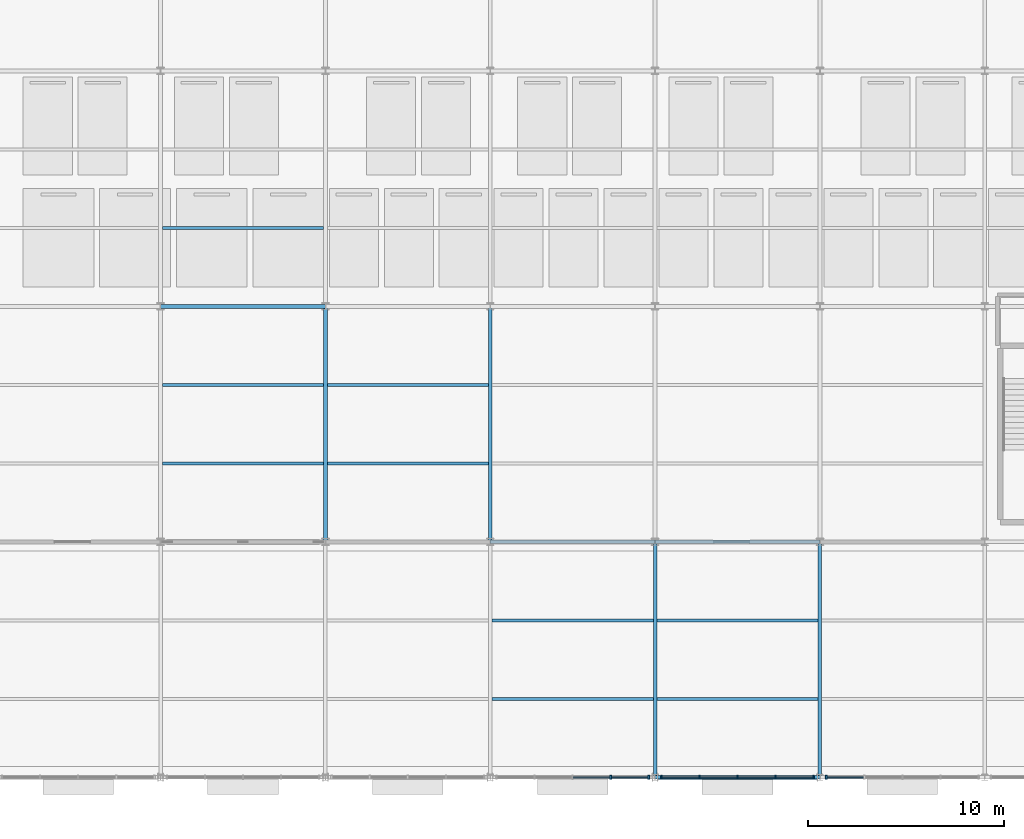
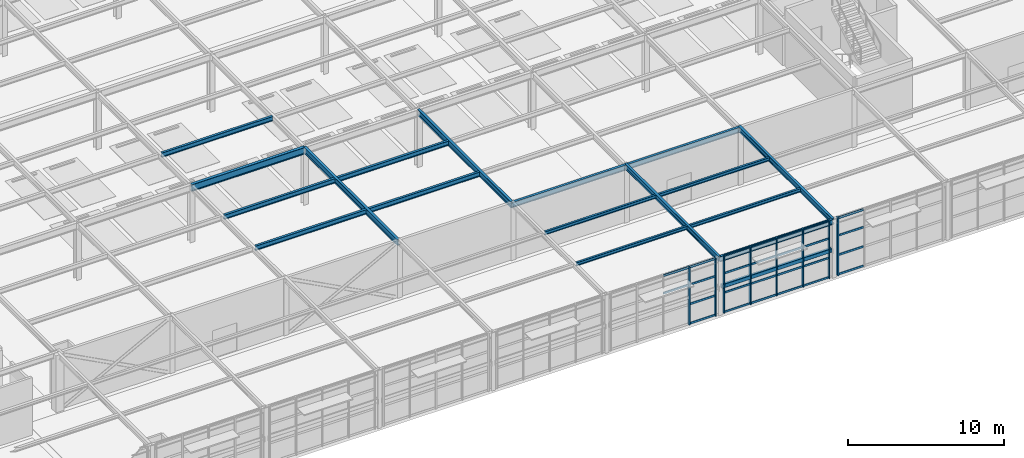
# One storey, part 22 of 82: 34 members, 18 beams, 3 elements without a shape of their own.
"""IFC4 building model written with IfcOpenShell, lengths in metres."""

from ifc_helpers import new_model, si_unit, direction, frame, origin, origin_2d, place, context, subcontext, project, spatial, rectangle, hollow_rectangle, i_section, extrude, material, layer, layer_set, material_profile, profile_set, type_object, element, aggregate, save


model = new_model("IFC4")

# Units and contexts
model_context = context("Model", 3, precision=1e-05, world=origin(), true_north=direction((0.0, 1.0)))
body_context = subcontext(model_context, "Body", "Model", "MODEL_VIEW")
ifc_project = project(units=[si_unit("LENGTHUNIT", "METRE"), si_unit("AREAUNIT", "SQUARE_METRE"), si_unit("VOLUMEUNIT", "CUBIC_METRE"), si_unit("PLANEANGLEUNIT", "RADIAN"), si_unit("MASSUNIT", "GRAM", prefix="KILO")], contexts=[model_context])

# Site, building, storey
site_placement = place(None, origin())
site = spatial("IfcSite", under=ifc_project, at=site_placement, CompositionType="ELEMENT")
building_placement = place(site_placement, origin())
building = spatial("IfcBuilding", under=site, at=building_placement, Name="Sitalva Quay Ferry Terminal", CompositionType="ELEMENT")
storey_placement = place(building_placement, frame((0.0, 0.0, 5.39990234375)))
storey = spatial("IfcBuildingStorey", under=building, at=storey_placement, Name="L02", CompositionType="ELEMENT", Elevation=5.39990234375)

# Beams
ifc_material_1 = material(Name="Structural Steel S355JR", Category="steel")
ifc_material_profile_1 = material_profile(ifc_material_1, i_section(OverallWidth=0.178955078125, OverallDepth=0.409912109375, WebThickness=0.0087890625, FlangeThickness=0.014404296875, FilletRadius=0.012939453125, at=origin_2d()), Name="W410x67")
ifc_profile_set_1 = profile_set([ifc_material_profile_1], Name="Structural Steel S355JR")
beam_type_1 = type_object("IfcBeamType", Name="Beam_W410x67", PredefinedType="BEAM", material=ifc_profile_set_1)
for number, where, z_axis, x_axis, name in (
    (1, (126.0, 6.0, 4.335205078125), (0.0, 1.0, 0.0), (-1.0, 0.0, 0.0), "L02 Primary Y girder 0733"),
    (2, (134.39990234375, 6.0, 4.335205078125), (0.0, 1.0, 0.0), (-1.0, 0.0, 0.0), "L02 Primary Y girder 0734"),
):
    element("IfcBeam", number, at=place(storey_placement, frame(where, z_axis=z_axis, x_axis=x_axis)), inside=storey, type_object=beam_type_1, Name=name, PredefinedType="BEAM", context=body_context, shape_type="SweptSolid", body=[
        extrude(i_section(OverallWidth=0.178955078125, OverallDepth=0.409912109375, WebThickness=0.0087890625, FlangeThickness=0.014404296875, FilletRadius=0.012939453125, at=origin_2d()), origin(), (0.0, 0.0, 1.0), 12.0),
    ])
ifc_material_2 = material(Name="Structural Steel S355JR", Category="steel")
ifc_material_profile_2 = material_profile(ifc_material_2, i_section(OverallWidth=0.180908203125, OverallDepth=0.4169921875, WebThickness=0.010986328125, FlangeThickness=0.018310546875, FilletRadius=0.012939453125, at=origin_2d()), Name="W410x85")
ifc_profile_set_2 = profile_set([ifc_material_profile_2], Name="Structural Steel S355JR")
beam_type_2 = type_object("IfcBeamType", Name="Beam_W410x85", PredefinedType="BEAM", material=ifc_profile_set_2)
for number, where, z_axis, x_axis, name in (
    (3, (126.0, 6.0, 4.33154296875), (1.0, 0.0, 0.0), (0.0, 1.0, 0.0), "L02 Primary X girder 0714"),
    (4, (117.60009765625, 18.0, 4.24169921875), (1.0, 0.0, 0.0), (0.0, 1.0, 0.0), "L02 Primary X girder 0723"),
    (5, (126.0, 18.0, 4.24169921875), (1.0, 0.0, 0.0), (0.0, 1.0, 0.0), "L02 Primary X girder 0724"),
):
    element("IfcBeam", number, at=place(storey_placement, frame(where, z_axis=z_axis, x_axis=x_axis)), inside=storey, type_object=beam_type_2, Name=name, PredefinedType="BEAM", context=body_context, shape_type="SweptSolid", body=[
        extrude(i_section(OverallWidth=0.180908203125, OverallDepth=0.4169921875, WebThickness=0.010986328125, FlangeThickness=0.018310546875, FilletRadius=0.012939453125, at=origin_2d()), origin(), (0.0, 0.0, 1.0), 8.39990234375),
    ])
ifc_material_3 = material(Name="Structural Steel S355JR", Category="steel")
ifc_material_profile_3 = material_profile(ifc_material_3, i_section(OverallWidth=0.19091796875, OverallDepth=0.4599609375, WebThickness=0.010009765625, FlangeThickness=0.01611328125, FilletRadius=0.013916015625, at=origin_2d()), Name="W460x82")
ifc_profile_set_3 = profile_set([ifc_material_profile_3], Name="Structural Steel S355JR")
beam_type_3 = type_object("IfcBeamType", Name="Beam_W460x82", PredefinedType="BEAM", material=ifc_profile_set_3)
for number, where, z_axis, x_axis, name in (
    (6, (109.199951171875, 18.0, 4.22021484375), (0.0, 1.0, 0.0), (-1.0, 0.0, 0.0), "L02 Primary Y girder 0822"),
    (7, (117.60009765625, 18.0, 4.22021484375), (0.0, 1.0, 0.0), (-1.0, 0.0, 0.0), "L02 Primary Y girder 0827"),
):
    element("IfcBeam", number, at=place(storey_placement, frame(where, z_axis=z_axis, x_axis=x_axis)), inside=storey, type_object=beam_type_3, Name=name, PredefinedType="BEAM", context=body_context, shape_type="SweptSolid", body=[
        extrude(i_section(OverallWidth=0.19091796875, OverallDepth=0.4599609375, WebThickness=0.010009765625, FlangeThickness=0.01611328125, FilletRadius=0.013916015625, at=origin_2d()), origin(), (0.0, 0.0, 1.0), 12.0),
    ])
ifc_material_4 = material(Name="Structural Steel S355JR", Category="steel")
ifc_material_profile_4 = material_profile(ifc_material_4, i_section(OverallWidth=0.2119140625, OverallDepth=0.5439453125, WebThickness=0.01318359375, FlangeThickness=0.021240234375, FilletRadius=0.014892578125, at=origin_2d()), Name="W530x123")
ifc_profile_set_4 = profile_set([ifc_material_profile_4], Name="Structural Steel S355JR")
beam_type_4 = type_object("IfcBeamType", Name="Girder_W530x123", PredefinedType="USERDEFINED", material=ifc_profile_set_4)
beam_1_placement = place(storey_placement, frame((100.800048828125, 30.0, 4.177978515625), z_axis=(1.0, 0.0, 0.0), x_axis=(0.0, 1.0, 0.0)))
element("IfcBeam", 8, at=beam_1_placement, inside=storey, type_object=beam_type_4, Name="L02 Primary X girder 0761", ObjectType="GIRDER", PredefinedType="USERDEFINED", context=body_context, shape_type="SweptSolid", body=[
    extrude(i_section(OverallWidth=0.2119140625, OverallDepth=0.5439453125, WebThickness=0.01318359375, FlangeThickness=0.021240234375, FilletRadius=0.014892578125, at=origin_2d()), origin(), (0.0, 0.0, 1.0), 8.39990234375),
])
ifc_material_5 = material(Name="Structural Steel S355JR", Category="steel")
ifc_material_profile_5 = material_profile(ifc_material_5, i_section(OverallWidth=0.14697265625, OverallDepth=0.261962890625, WebThickness=0.006591796875, FlangeThickness=0.01123046875, FilletRadius=0.010009765625, at=origin_2d()), Name="W250x39")
ifc_profile_set_5 = profile_set([ifc_material_profile_5], Name="Structural Steel S355JR")
beam_type_5 = type_object("IfcBeamType", Name="Joist_W250x39", PredefinedType="JOIST", material=ifc_profile_set_5)
for number, where, z_axis, x_axis, name in (
    (9, (117.689453125, 10.0, 4.4091796875), (1.0, 0.0, 0.0), (0.0, 1.0, 0.0), "L02 Secondary joist 0743"),
    (10, (126.089599609375, 10.0, 4.4091796875), (1.0, 0.0, 0.0), (0.0, 1.0, 0.0), "L02 Secondary joist 0744"),
    (11, (117.689453125, 14.0, 4.4091796875), (1.0, 0.0, 0.0), (0.0, 1.0, 0.0), "L02 Secondary joist 0753"),
    (12, (126.089599609375, 14.0, 4.4091796875), (1.0, 0.0, 0.0), (0.0, 1.0, 0.0), "L02 Secondary joist 0754"),
):
    element("IfcBeam", number, at=place(storey_placement, frame(where, z_axis=z_axis, x_axis=x_axis)), inside=storey, type_object=beam_type_5, Name=name, PredefinedType="JOIST", context=body_context, shape_type="SweptSolid", body=[
        extrude(i_section(OverallWidth=0.14697265625, OverallDepth=0.261962890625, WebThickness=0.006591796875, FlangeThickness=0.01123046875, FilletRadius=0.010009765625, at=origin_2d()), origin(), (0.0, 0.0, 1.0), 8.220947265625),
    ])
ifc_material_6 = material(Name="Structural Steel S355JR", Category="steel")
ifc_material_profile_6 = material_profile(ifc_material_6, i_section(OverallWidth=0.172119140625, OverallDepth=0.35791015625, WebThickness=0.0078125, FlangeThickness=0.01318359375, FilletRadius=0.011962890625, at=origin_2d()), Name="W360x57")
ifc_profile_set_6 = profile_set([ifc_material_profile_6], Name="Structural Steel S355JR")
beam_type_6 = type_object("IfcBeamType", Name="Joist_W360x57", PredefinedType="JOIST", material=ifc_profile_set_6)
for number, where, z_axis, x_axis, name in (
    (13, (100.8955078125, 22.0, 4.27099609375), (1.0, 0.0, 0.0), (0.0, 1.0, 0.0), "L02 Secondary joist 0864"),
    (14, (109.29541015625, 22.0, 4.27099609375), (1.0, 0.0, 0.0), (0.0, 1.0, 0.0), "L02 Secondary joist 0865"),
    (15, (100.8955078125, 26.0, 4.27099609375), (1.0, 0.0, 0.0), (0.0, 1.0, 0.0), "L02 Secondary joist 0873"),
    (16, (109.29541015625, 26.0, 4.27099609375), (1.0, 0.0, 0.0), (0.0, 1.0, 0.0), "L02 Secondary joist 0874"),
    (17, (100.8955078125, 34.0, 4.27099609375), (1.0, 0.0, 0.0), (0.0, 1.0, 0.0), "L02 Secondary joist 0882"),
):
    element("IfcBeam", number, at=place(storey_placement, frame(where, z_axis=z_axis, x_axis=x_axis)), inside=storey, type_object=beam_type_6, Name=name, PredefinedType="JOIST", context=body_context, shape_type="SweptSolid", body=[
        extrude(i_section(OverallWidth=0.172119140625, OverallDepth=0.35791015625, WebThickness=0.0078125, FlangeThickness=0.01318359375, FilletRadius=0.011962890625, at=origin_2d()), origin(), (0.0, 0.0, 1.0), 8.208984375),
    ])

# Curtain wall, members
ifc_material_7 = material(Name="Anodised Aluminium & Low-E Glazing", Category="aluminium")
ifc_layer = layer(ifc_material_7, 0.159912109375)
ifc_layer_set = layer_set([ifc_layer], Name="Anodised Aluminium & Low-E Glazing")
curtain_wall_type = type_object("IfcCurtainWallType", Name="CW_Concourse_Unitised", PredefinedType="USERDEFINED", material=ifc_layer_set)
curtain_wall_1_placement = place(storey_placement, origin())
curtain_wall_1 = element("IfcCurtainWall", 18, at=curtain_wall_1_placement, inside=storey, type_object=curtain_wall_type, Name="L02 waterfront boarding concourse glazing (CW-L02-065)", ObjectType="CURTAIN_WALL", PredefinedType="USERDEFINED")
ifc_material_8 = material(Name="Anodised Aluminium 6063-T6", Category="aluminium")
ifc_material_profile_7 = material_profile(ifc_material_8, rectangle(XDim=0.0849609375, YDim=0.2099609375, at=origin_2d()), Name="ALU85x210")
ifc_profile_set_7 = profile_set([ifc_material_profile_7], Name="Anodised Aluminium 6063-T6")
member_type_1 = type_object("IfcMemberType", Name="Mullion_Alu_85x210", PredefinedType="MULLION", material=ifc_profile_set_7)
member_1_placement = place(storey_placement, frame((123.739990234375, 6.0, 0.0), z_axis=(0.0, 0.0, 1.0), x_axis=(1.0, 0.0, 0.0)))
member_1 = element("IfcMember", 19, at=member_1_placement, type_object=member_type_1, Name="CW-L02-065-M3", PredefinedType="MULLION", context=body_context, shape_type="SweptSolid", body=[
    extrude(rectangle(XDim=0.0849609375, YDim=0.2099609375, at=origin_2d()), origin(), (0.0, 0.0, 1.0), 4.5400390625),
])
member_2_placement = place(storey_placement, frame((125.679931640625, 6.0, 0.0), z_axis=(0.0, 0.0, 1.0), x_axis=(1.0, 0.0, 0.0)))
member_2 = element("IfcMember", 20, at=member_2_placement, type_object=member_type_1, Name="CW-L02-065-M4", PredefinedType="MULLION", context=body_context, shape_type="SweptSolid", body=[
    extrude(rectangle(XDim=0.0849609375, YDim=0.2099609375, at=origin_2d()), origin(), (0.0, 0.0, 1.0), 4.5400390625),
])

curtain_wall_2_placement = place(storey_placement, origin())
curtain_wall_2 = element("IfcCurtainWall", 21, at=curtain_wall_2_placement, inside=storey, type_object=curtain_wall_type, Name="L02 waterfront boarding concourse glazing (CW-L02-066)", ObjectType="CURTAIN_WALL", PredefinedType="USERDEFINED")
member_3_placement = place(storey_placement, frame((126.320068359375, 6.0, 0.0), z_axis=(0.0, 0.0, 1.0), x_axis=(1.0, 0.0, 0.0)))
member_3 = element("IfcMember", 22, at=member_3_placement, type_object=member_type_1, Name="CW-L02-066-M0", PredefinedType="MULLION", context=body_context, shape_type="SweptSolid", body=[
    extrude(rectangle(XDim=0.0849609375, YDim=0.2099609375, at=origin_2d()), origin(), (0.0, 0.0, 1.0), 4.5400390625),
])
member_4_placement = place(storey_placement, frame((128.260009765625, 6.0, 0.0), z_axis=(0.0, 0.0, 1.0), x_axis=(1.0, 0.0, 0.0)))
member_4 = element("IfcMember", 23, at=member_4_placement, type_object=member_type_1, Name="CW-L02-066-M1", PredefinedType="MULLION", context=body_context, shape_type="SweptSolid", body=[
    extrude(rectangle(XDim=0.0849609375, YDim=0.2099609375, at=origin_2d()), origin(), (0.0, 0.0, 1.0), 4.5400390625),
])
member_5_placement = place(storey_placement, frame((130.199951171875, 6.0, 0.0), z_axis=(0.0, 0.0, 1.0), x_axis=(1.0, 0.0, 0.0)))
member_5 = element("IfcMember", 24, at=member_5_placement, type_object=member_type_1, Name="CW-L02-066-M2", PredefinedType="MULLION", context=body_context, shape_type="SweptSolid", body=[
    extrude(rectangle(XDim=0.0849609375, YDim=0.2099609375, at=origin_2d()), origin(), (0.0, 0.0, 1.0), 4.5400390625),
])
member_6_placement = place(storey_placement, frame((132.139892578125, 6.0, 0.0), z_axis=(0.0, 0.0, 1.0), x_axis=(1.0, 0.0, 0.0)))
member_6 = element("IfcMember", 25, at=member_6_placement, type_object=member_type_1, Name="CW-L02-066-M3", PredefinedType="MULLION", context=body_context, shape_type="SweptSolid", body=[
    extrude(rectangle(XDim=0.0849609375, YDim=0.2099609375, at=origin_2d()), origin(), (0.0, 0.0, 1.0), 4.5400390625),
])
member_7_placement = place(storey_placement, frame((134.080078125, 6.0, 0.0), z_axis=(0.0, 0.0, 1.0), x_axis=(1.0, 0.0, 0.0)))
member_7 = element("IfcMember", 26, at=member_7_placement, type_object=member_type_1, Name="CW-L02-066-M4", PredefinedType="MULLION", context=body_context, shape_type="SweptSolid", body=[
    extrude(rectangle(XDim=0.0849609375, YDim=0.2099609375, at=origin_2d()), origin(), (0.0, 0.0, 1.0), 4.5400390625),
])

# Curtain wall, member
curtain_wall_3_placement = place(storey_placement, origin())
curtain_wall_3 = element("IfcCurtainWall", 27, at=curtain_wall_3_placement, inside=storey, type_object=curtain_wall_type, Name="L02 waterfront boarding concourse glazing (CW-L02-068)", ObjectType="CURTAIN_WALL", PredefinedType="USERDEFINED")
member_8_placement = place(storey_placement, frame((134.719970703125, 6.0, 0.0), z_axis=(0.0, 0.0, 1.0), x_axis=(1.0, 0.0, 0.0)))
member_8 = element("IfcMember", 28, at=member_8_placement, type_object=member_type_1, Name="CW-L02-068-M0", PredefinedType="MULLION", context=body_context, shape_type="SweptSolid", body=[
    extrude(rectangle(XDim=0.0849609375, YDim=0.2099609375, at=origin_2d()), origin(), (0.0, 0.0, 1.0), 4.5400390625),
])

# Beam
ifc_material_9 = material(Name="Structural Steel S355JR", Category="steel")
ifc_material_profile_8 = material_profile(ifc_material_9, hollow_rectangle(XDim=0.199951171875, YDim=0.300048828125, WallThickness=0.012451171875, InnerFilletRadius=0.012451171875, OuterFilletRadius=0.02490234375, at=origin_2d()), Name="RHS300x200x12.5")
ifc_profile_set_8 = profile_set([ifc_material_profile_8], Name="Structural Steel S355JR")
beam_type_7 = type_object("IfcBeamType", Name="Spandrel_RHS300x200", PredefinedType="SPANDREL", material=ifc_profile_set_8)
beam_2_placement = place(storey_placement, frame((126.139892578125, 6.0, 2.150146484375), z_axis=(1.0, 0.0, 0.0), x_axis=(0.0, 1.0, 0.0)))
element("IfcBeam", 29, at=beam_2_placement, inside=storey, type_object=beam_type_7, Name="Promenade facade spandrel 06", PredefinedType="SPANDREL", context=body_context, shape_type="SweptSolid", body=[
    extrude(hollow_rectangle(XDim=0.199951171875, YDim=0.300048828125, WallThickness=0.012451171875, InnerFilletRadius=0.012451171875, OuterFilletRadius=0.02490234375, at=origin_2d()), origin(), (0.0, 0.0, 1.0), 8.1201171875),
])

# Member
ifc_material_10 = material(Name="Anodised Aluminium 6063-T6", Category="aluminium")
ifc_material_profile_9 = material_profile(ifc_material_10, rectangle(XDim=0.074951171875, YDim=0.14990234375, at=origin_2d()), Name="ALU75x150")
ifc_profile_set_9 = profile_set([ifc_material_profile_9], Name="Anodised Aluminium 6063-T6")
member_type_2 = type_object("IfcMemberType", Name="Transom_Alu_75x140", PredefinedType="MULLION", material=ifc_profile_set_9)
member_9_placement = place(storey_placement, frame((121.842529296875, 6.0, 3.101806640625), z_axis=(1.0, 0.0, 0.0), x_axis=(0.0, 1.0, 0.0)))
member_9 = element("IfcMember", 30, at=member_9_placement, type_object=member_type_2, Name="CW-L02-065-T2-2", ObjectType="TRANSOM", PredefinedType="USERDEFINED", context=body_context, shape_type="SweptSolid", body=[
    extrude(rectangle(XDim=0.074951171875, YDim=0.14990234375, at=origin_2d()), origin(), (0.0, 0.0, 1.0), 1.85498046875),
])

member_10_placement = place(storey_placement, frame((121.842529296875, 6.0, 4.465087890625), z_axis=(1.0, 0.0, 0.0), x_axis=(0.0, 1.0, 0.0)))
member_10 = element("IfcMember", 31, at=member_10_placement, type_object=member_type_2, Name="CW-L02-065-T2-3", ObjectType="TRANSOM", PredefinedType="USERDEFINED", context=body_context, shape_type="SweptSolid", body=[
    extrude(rectangle(XDim=0.074951171875, YDim=0.14990234375, at=origin_2d()), origin(), (0.0, 0.0, 1.0), 1.85498046875),
])

member_11_placement = place(storey_placement, frame((123.782470703125, 6.0, 0.0751953125), z_axis=(1.0, 0.0, 0.0), x_axis=(0.0, 1.0, 0.0)))
member_11 = element("IfcMember", 32, at=member_11_placement, type_object=member_type_2, Name="CW-L02-065-T3-0", ObjectType="TRANSOM", PredefinedType="USERDEFINED", context=body_context, shape_type="SweptSolid", body=[
    extrude(rectangle(XDim=0.074951171875, YDim=0.14990234375, at=origin_2d()), origin(), (0.0, 0.0, 1.0), 1.85498046875),
])

member_12_placement = place(storey_placement, frame((123.782470703125, 6.0, 1.58837890625), z_axis=(1.0, 0.0, 0.0), x_axis=(0.0, 1.0, 0.0)))
member_12 = element("IfcMember", 33, at=member_12_placement, type_object=member_type_2, Name="CW-L02-065-T3-1", ObjectType="TRANSOM", PredefinedType="USERDEFINED", context=body_context, shape_type="SweptSolid", body=[
    extrude(rectangle(XDim=0.074951171875, YDim=0.14990234375, at=origin_2d()), origin(), (0.0, 0.0, 1.0), 1.85498046875),
])

member_13_placement = place(storey_placement, frame((123.782470703125, 6.0, 3.101806640625), z_axis=(1.0, 0.0, 0.0), x_axis=(0.0, 1.0, 0.0)))
member_13 = element("IfcMember", 34, at=member_13_placement, type_object=member_type_2, Name="CW-L02-065-T3-2", ObjectType="TRANSOM", PredefinedType="USERDEFINED", context=body_context, shape_type="SweptSolid", body=[
    extrude(rectangle(XDim=0.074951171875, YDim=0.14990234375, at=origin_2d()), origin(), (0.0, 0.0, 1.0), 1.85498046875),
])

member_14_placement = place(storey_placement, frame((123.782470703125, 6.0, 4.465087890625), z_axis=(1.0, 0.0, 0.0), x_axis=(0.0, 1.0, 0.0)))
member_14 = element("IfcMember", 35, at=member_14_placement, type_object=member_type_2, Name="CW-L02-065-T3-3", ObjectType="TRANSOM", PredefinedType="USERDEFINED", context=body_context, shape_type="SweptSolid", body=[
    extrude(rectangle(XDim=0.074951171875, YDim=0.14990234375, at=origin_2d()), origin(), (0.0, 0.0, 1.0), 1.85498046875),
])

aggregate(curtain_wall_1, [member_1, member_2, member_9, member_10, member_11, member_12, member_13, member_14])

member_15_placement = place(storey_placement, frame((126.362548828125, 6.0, 0.0751953125), z_axis=(1.0, 0.0, 0.0), x_axis=(0.0, 1.0, 0.0)))
member_15 = element("IfcMember", 36, at=member_15_placement, type_object=member_type_2, Name="CW-L02-066-T0-0", ObjectType="TRANSOM", PredefinedType="USERDEFINED", context=body_context, shape_type="SweptSolid", body=[
    extrude(rectangle(XDim=0.074951171875, YDim=0.14990234375, at=origin_2d()), origin(), (0.0, 0.0, 1.0), 1.85498046875),
])

member_16_placement = place(storey_placement, frame((126.362548828125, 6.0, 1.58837890625), z_axis=(1.0, 0.0, 0.0), x_axis=(0.0, 1.0, 0.0)))
member_16 = element("IfcMember", 37, at=member_16_placement, type_object=member_type_2, Name="CW-L02-066-T0-1", ObjectType="TRANSOM", PredefinedType="USERDEFINED", context=body_context, shape_type="SweptSolid", body=[
    extrude(rectangle(XDim=0.074951171875, YDim=0.14990234375, at=origin_2d()), origin(), (0.0, 0.0, 1.0), 1.85498046875),
])

member_17_placement = place(storey_placement, frame((126.362548828125, 6.0, 3.101806640625), z_axis=(1.0, 0.0, 0.0), x_axis=(0.0, 1.0, 0.0)))
member_17 = element("IfcMember", 38, at=member_17_placement, type_object=member_type_2, Name="CW-L02-066-T0-2", ObjectType="TRANSOM", PredefinedType="USERDEFINED", context=body_context, shape_type="SweptSolid", body=[
    extrude(rectangle(XDim=0.074951171875, YDim=0.14990234375, at=origin_2d()), origin(), (0.0, 0.0, 1.0), 1.85498046875),
])

member_18_placement = place(storey_placement, frame((126.362548828125, 6.0, 4.465087890625), z_axis=(1.0, 0.0, 0.0), x_axis=(0.0, 1.0, 0.0)))
member_18 = element("IfcMember", 39, at=member_18_placement, type_object=member_type_2, Name="CW-L02-066-T0-3", ObjectType="TRANSOM", PredefinedType="USERDEFINED", context=body_context, shape_type="SweptSolid", body=[
    extrude(rectangle(XDim=0.074951171875, YDim=0.14990234375, at=origin_2d()), origin(), (0.0, 0.0, 1.0), 1.85498046875),
])

member_19_placement = place(storey_placement, frame((128.302490234375, 6.0, 0.0751953125), z_axis=(1.0, 0.0, 0.0), x_axis=(0.0, 1.0, 0.0)))
member_19 = element("IfcMember", 40, at=member_19_placement, type_object=member_type_2, Name="CW-L02-066-T1-0", ObjectType="TRANSOM", PredefinedType="USERDEFINED", context=body_context, shape_type="SweptSolid", body=[
    extrude(rectangle(XDim=0.074951171875, YDim=0.14990234375, at=origin_2d()), origin(), (0.0, 0.0, 1.0), 1.85498046875),
])

member_20_placement = place(storey_placement, frame((128.302490234375, 6.0, 1.58837890625), z_axis=(1.0, 0.0, 0.0), x_axis=(0.0, 1.0, 0.0)))
member_20 = element("IfcMember", 41, at=member_20_placement, type_object=member_type_2, Name="CW-L02-066-T1-1", ObjectType="TRANSOM", PredefinedType="USERDEFINED", context=body_context, shape_type="SweptSolid", body=[
    extrude(rectangle(XDim=0.074951171875, YDim=0.14990234375, at=origin_2d()), origin(), (0.0, 0.0, 1.0), 1.85498046875),
])

member_21_placement = place(storey_placement, frame((128.302490234375, 6.0, 3.101806640625), z_axis=(1.0, 0.0, 0.0), x_axis=(0.0, 1.0, 0.0)))
member_21 = element("IfcMember", 42, at=member_21_placement, type_object=member_type_2, Name="CW-L02-066-T1-2", ObjectType="TRANSOM", PredefinedType="USERDEFINED", context=body_context, shape_type="SweptSolid", body=[
    extrude(rectangle(XDim=0.074951171875, YDim=0.14990234375, at=origin_2d()), origin(), (0.0, 0.0, 1.0), 1.85498046875),
])

member_22_placement = place(storey_placement, frame((128.302490234375, 6.0, 4.465087890625), z_axis=(1.0, 0.0, 0.0), x_axis=(0.0, 1.0, 0.0)))
member_22 = element("IfcMember", 43, at=member_22_placement, type_object=member_type_2, Name="CW-L02-066-T1-3", ObjectType="TRANSOM", PredefinedType="USERDEFINED", context=body_context, shape_type="SweptSolid", body=[
    extrude(rectangle(XDim=0.074951171875, YDim=0.14990234375, at=origin_2d()), origin(), (0.0, 0.0, 1.0), 1.85498046875),
])

member_23_placement = place(storey_placement, frame((130.242431640625, 6.0, 0.0751953125), z_axis=(1.0, 0.0, 0.0), x_axis=(0.0, 1.0, 0.0)))
member_23 = element("IfcMember", 44, at=member_23_placement, type_object=member_type_2, Name="CW-L02-066-T2-0", ObjectType="TRANSOM", PredefinedType="USERDEFINED", context=body_context, shape_type="SweptSolid", body=[
    extrude(rectangle(XDim=0.074951171875, YDim=0.14990234375, at=origin_2d()), origin(), (0.0, 0.0, 1.0), 1.85498046875),
])

member_24_placement = place(storey_placement, frame((130.242431640625, 6.0, 1.58837890625), z_axis=(1.0, 0.0, 0.0), x_axis=(0.0, 1.0, 0.0)))
member_24 = element("IfcMember", 45, at=member_24_placement, type_object=member_type_2, Name="CW-L02-066-T2-1", ObjectType="TRANSOM", PredefinedType="USERDEFINED", context=body_context, shape_type="SweptSolid", body=[
    extrude(rectangle(XDim=0.074951171875, YDim=0.14990234375, at=origin_2d()), origin(), (0.0, 0.0, 1.0), 1.85498046875),
])

member_25_placement = place(storey_placement, frame((130.242431640625, 6.0, 3.101806640625), z_axis=(1.0, 0.0, 0.0), x_axis=(0.0, 1.0, 0.0)))
member_25 = element("IfcMember", 46, at=member_25_placement, type_object=member_type_2, Name="CW-L02-066-T2-2", ObjectType="TRANSOM", PredefinedType="USERDEFINED", context=body_context, shape_type="SweptSolid", body=[
    extrude(rectangle(XDim=0.074951171875, YDim=0.14990234375, at=origin_2d()), origin(), (0.0, 0.0, 1.0), 1.85498046875),
])

member_26_placement = place(storey_placement, frame((130.242431640625, 6.0, 4.465087890625), z_axis=(1.0, 0.0, 0.0), x_axis=(0.0, 1.0, 0.0)))
member_26 = element("IfcMember", 47, at=member_26_placement, type_object=member_type_2, Name="CW-L02-066-T2-3", ObjectType="TRANSOM", PredefinedType="USERDEFINED", context=body_context, shape_type="SweptSolid", body=[
    extrude(rectangle(XDim=0.074951171875, YDim=0.14990234375, at=origin_2d()), origin(), (0.0, 0.0, 1.0), 1.85498046875),
])

member_27_placement = place(storey_placement, frame((132.1826171875, 6.0, 0.0751953125), z_axis=(1.0, 0.0, 0.0), x_axis=(0.0, 1.0, 0.0)))
member_27 = element("IfcMember", 48, at=member_27_placement, type_object=member_type_2, Name="CW-L02-066-T3-0", ObjectType="TRANSOM", PredefinedType="USERDEFINED", context=body_context, shape_type="SweptSolid", body=[
    extrude(rectangle(XDim=0.074951171875, YDim=0.14990234375, at=origin_2d()), origin(), (0.0, 0.0, 1.0), 1.85498046875),
])

member_28_placement = place(storey_placement, frame((132.1826171875, 6.0, 1.58837890625), z_axis=(1.0, 0.0, 0.0), x_axis=(0.0, 1.0, 0.0)))
member_28 = element("IfcMember", 49, at=member_28_placement, type_object=member_type_2, Name="CW-L02-066-T3-1", ObjectType="TRANSOM", PredefinedType="USERDEFINED", context=body_context, shape_type="SweptSolid", body=[
    extrude(rectangle(XDim=0.074951171875, YDim=0.14990234375, at=origin_2d()), origin(), (0.0, 0.0, 1.0), 1.85498046875),
])

member_29_placement = place(storey_placement, frame((132.1826171875, 6.0, 3.101806640625), z_axis=(1.0, 0.0, 0.0), x_axis=(0.0, 1.0, 0.0)))
member_29 = element("IfcMember", 50, at=member_29_placement, type_object=member_type_2, Name="CW-L02-066-T3-2", ObjectType="TRANSOM", PredefinedType="USERDEFINED", context=body_context, shape_type="SweptSolid", body=[
    extrude(rectangle(XDim=0.074951171875, YDim=0.14990234375, at=origin_2d()), origin(), (0.0, 0.0, 1.0), 1.85498046875),
])

member_30_placement = place(storey_placement, frame((132.1826171875, 6.0, 4.465087890625), z_axis=(1.0, 0.0, 0.0), x_axis=(0.0, 1.0, 0.0)))
member_30 = element("IfcMember", 51, at=member_30_placement, type_object=member_type_2, Name="CW-L02-066-T3-3", ObjectType="TRANSOM", PredefinedType="USERDEFINED", context=body_context, shape_type="SweptSolid", body=[
    extrude(rectangle(XDim=0.074951171875, YDim=0.14990234375, at=origin_2d()), origin(), (0.0, 0.0, 1.0), 1.85498046875),
])

aggregate(curtain_wall_2, [member_3, member_4, member_5, member_6, member_7, member_15, member_16, member_17, member_18, member_19, member_20, member_21, member_22, member_23, member_24, member_25, member_26, member_27, member_28, member_29, member_30])

member_31_placement = place(storey_placement, frame((134.762451171875, 6.0, 0.0751953125), z_axis=(1.0, 0.0, 0.0), x_axis=(0.0, 1.0, 0.0)))
member_31 = element("IfcMember", 52, at=member_31_placement, type_object=member_type_2, Name="CW-L02-068-T0-0", ObjectType="TRANSOM", PredefinedType="USERDEFINED", context=body_context, shape_type="SweptSolid", body=[
    extrude(rectangle(XDim=0.074951171875, YDim=0.14990234375, at=origin_2d()), origin(), (0.0, 0.0, 1.0), 1.85498046875),
])

member_32_placement = place(storey_placement, frame((134.762451171875, 6.0, 1.58837890625), z_axis=(1.0, 0.0, 0.0), x_axis=(0.0, 1.0, 0.0)))
member_32 = element("IfcMember", 53, at=member_32_placement, type_object=member_type_2, Name="CW-L02-068-T0-1", ObjectType="TRANSOM", PredefinedType="USERDEFINED", context=body_context, shape_type="SweptSolid", body=[
    extrude(rectangle(XDim=0.074951171875, YDim=0.14990234375, at=origin_2d()), origin(), (0.0, 0.0, 1.0), 1.85498046875),
])

member_33_placement = place(storey_placement, frame((134.762451171875, 6.0, 3.101806640625), z_axis=(1.0, 0.0, 0.0), x_axis=(0.0, 1.0, 0.0)))
member_33 = element("IfcMember", 54, at=member_33_placement, type_object=member_type_2, Name="CW-L02-068-T0-2", ObjectType="TRANSOM", PredefinedType="USERDEFINED", context=body_context, shape_type="SweptSolid", body=[
    extrude(rectangle(XDim=0.074951171875, YDim=0.14990234375, at=origin_2d()), origin(), (0.0, 0.0, 1.0), 1.85498046875),
])

member_34_placement = place(storey_placement, frame((134.762451171875, 6.0, 4.465087890625), z_axis=(1.0, 0.0, 0.0), x_axis=(0.0, 1.0, 0.0)))
member_34 = element("IfcMember", 55, at=member_34_placement, type_object=member_type_2, Name="CW-L02-068-T0-3", ObjectType="TRANSOM", PredefinedType="USERDEFINED", context=body_context, shape_type="SweptSolid", body=[
    extrude(rectangle(XDim=0.074951171875, YDim=0.14990234375, at=origin_2d()), origin(), (0.0, 0.0, 1.0), 1.85498046875),
])

aggregate(curtain_wall_3, [member_8, member_31, member_32, member_33, member_34])

save(model, "model.ifc")
